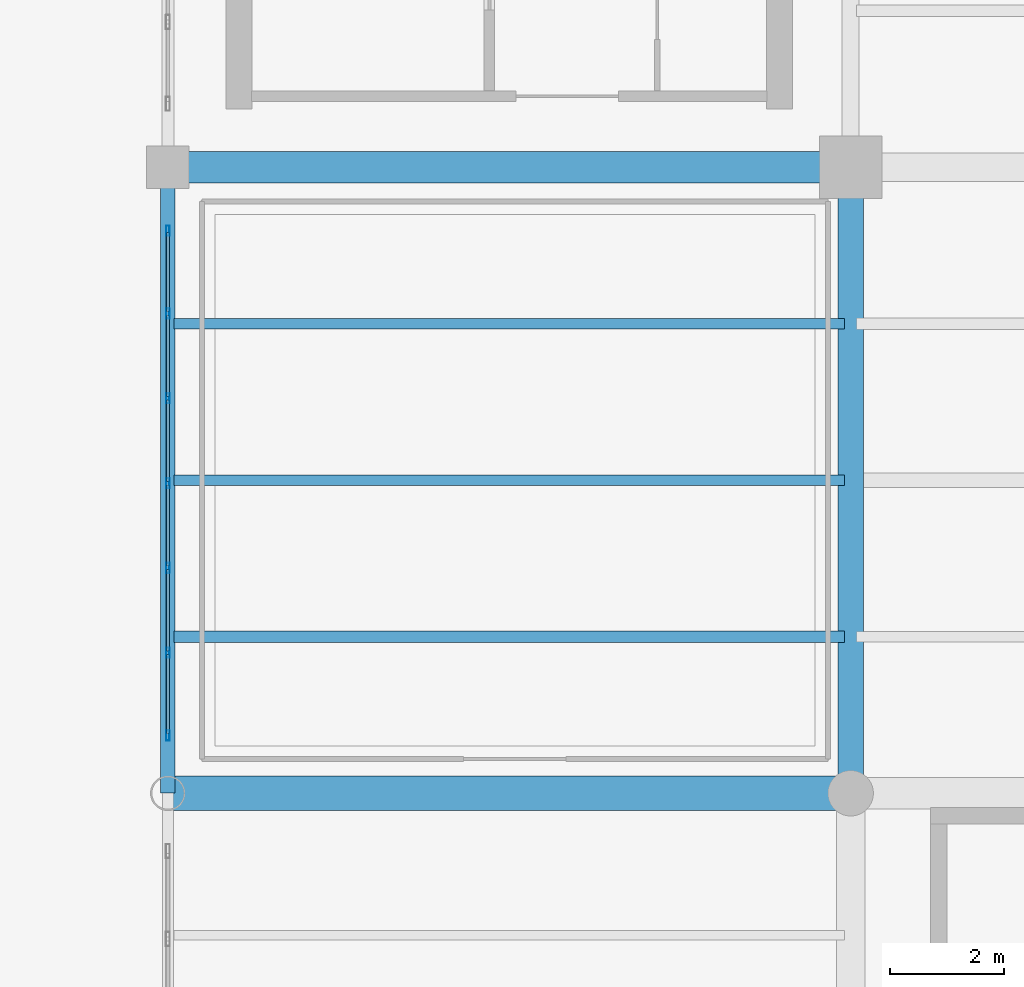
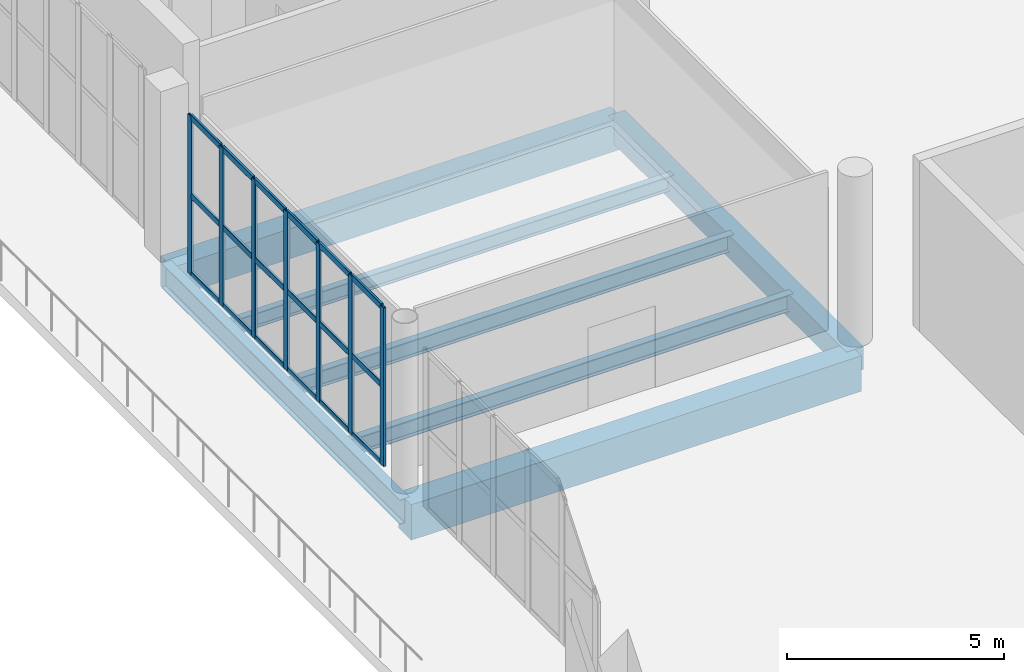
# One storey, part 24 of 136: 25 members, 7 beams, 1 element without a shape of its own.
"""IFC4 building model written with IfcOpenShell, lengths in metres."""

from ifc_helpers import new_model, si_unit, direction, frame, origin, origin_2d, place, context, subcontext, project, spatial, rectangle, hollow_rectangle, i_section, extrude, material, layer, layer_set, material_profile, profile_set, type_object, element, aggregate, save


model = new_model("IFC4")

# Units and contexts
model_context = context("Model", 3, precision=1e-05, world=origin(), true_north=direction((0.0, 1.0)))
body_context = subcontext(model_context, "Body", "Model", "MODEL_VIEW")
ifc_project = project(units=[si_unit("LENGTHUNIT", "METRE"), si_unit("AREAUNIT", "SQUARE_METRE"), si_unit("VOLUMEUNIT", "CUBIC_METRE"), si_unit("PLANEANGLEUNIT", "RADIAN"), si_unit("MASSUNIT", "GRAM", prefix="KILO")], contexts=[model_context])

# Site, building, storey
site_placement = place(None, origin())
site = spatial("IfcSite", under=ifc_project, at=site_placement, CompositionType="ELEMENT")
building_placement = place(site_placement, origin())
building = spatial("IfcBuilding", under=site, at=building_placement, Name="Brinegate Civic Arena", CompositionType="ELEMENT")
storey_placement = place(building_placement, frame((0.0, 0.0, 5.39990234375)))
storey = spatial("IfcBuildingStorey", under=building, at=storey_placement, Name="L01", CompositionType="ELEMENT", Elevation=5.39990234375)

# Curtain wall, members
ifc_material_1 = material(Name="Marine grade aluminium", Category="aluminium")
ifc_layer = layer(ifc_material_1, 0.199951171875, Name="Marine grade aluminium")
ifc_layer_set = layer_set([ifc_layer], Name="Marine grade aluminium")
curtain_wall_type = type_object("IfcCurtainWallType", Name="CW-BOWL-GLAZED-01", PredefinedType="USERDEFINED", material=ifc_layer_set)
curtain_wall_placement = place(storey_placement, origin())
curtain_wall = element("IfcCurtainWall", 1, at=curtain_wall_placement, inside=storey, type_object=curtain_wall_type, Name="Curtain Wall CWA-046", ObjectType="GLAZED CURTAIN WALL", PredefinedType="USERDEFINED")
ifc_material_profile_1 = material_profile(ifc_material_1, hollow_rectangle(XDim=0.06494140625, YDim=0.179931640625, WallThickness=0.0048828125, InnerFilletRadius=0.00390625, OuterFilletRadius=0.008056640625, at=origin_2d()), Name="MUL65X180")
ifc_profile_set_1 = profile_set([ifc_material_profile_1], Name="Marine grade aluminium")
member_type_1 = type_object("IfcMemberType", Name="CW-MULLION-65X180", PredefinedType="MULLION", material=ifc_profile_set_1)
member_1_placement = place(storey_placement, frame((48.0, 21.013427734375, 0.0), z_axis=(0.0, 0.0, 1.0), x_axis=(-1.0, 0.0, 0.0)))
member_1 = element("IfcMember", 2, at=member_1_placement, type_object=member_type_1, Name="CWA-046 mullion 1", PredefinedType="MULLION", context=body_context, shape_type="SweptSolid", body=[
    extrude(hollow_rectangle(XDim=0.06494140625, YDim=0.179931640625, WallThickness=0.0048828125, InnerFilletRadius=0.00390625, OuterFilletRadius=0.008056640625, at=origin_2d()), origin(), (0.0, 0.0, 1.0), 4.47021484375),
])
member_2_placement = place(storey_placement, frame((48.0, 22.470947265625, 0.0), z_axis=(0.0, 0.0, 1.0), x_axis=(-1.0, 0.0, 0.0)))
member_2 = element("IfcMember", 3, at=member_2_placement, type_object=member_type_1, Name="CWA-046 mullion 2", PredefinedType="MULLION", context=body_context, shape_type="SweptSolid", body=[
    extrude(hollow_rectangle(XDim=0.06494140625, YDim=0.179931640625, WallThickness=0.0048828125, InnerFilletRadius=0.00390625, OuterFilletRadius=0.008056640625, at=origin_2d()), origin(), (0.0, 0.0, 1.0), 4.47021484375),
])
member_3_placement = place(storey_placement, frame((48.0, 23.960693359375, 0.0), z_axis=(0.0, 0.0, 1.0), x_axis=(-1.0, 0.0, 0.0)))
member_3 = element("IfcMember", 4, at=member_3_placement, type_object=member_type_1, Name="CWA-046 mullion 3", PredefinedType="MULLION", context=body_context, shape_type="SweptSolid", body=[
    extrude(hollow_rectangle(XDim=0.06494140625, YDim=0.179931640625, WallThickness=0.0048828125, InnerFilletRadius=0.00390625, OuterFilletRadius=0.008056640625, at=origin_2d()), origin(), (0.0, 0.0, 1.0), 4.47021484375),
])
member_4_placement = place(storey_placement, frame((48.0, 25.450439453125, 0.0), z_axis=(0.0, 0.0, 1.0), x_axis=(-1.0, 0.0, 0.0)))
member_4 = element("IfcMember", 5, at=member_4_placement, type_object=member_type_1, Name="CWA-046 mullion 4", PredefinedType="MULLION", context=body_context, shape_type="SweptSolid", body=[
    extrude(hollow_rectangle(XDim=0.06494140625, YDim=0.179931640625, WallThickness=0.0048828125, InnerFilletRadius=0.00390625, OuterFilletRadius=0.008056640625, at=origin_2d()), origin(), (0.0, 0.0, 1.0), 4.47021484375),
])
member_5_placement = place(storey_placement, frame((48.0, 26.9404296875, 0.0), z_axis=(0.0, 0.0, 1.0), x_axis=(-1.0, 0.0, 0.0)))
member_5 = element("IfcMember", 6, at=member_5_placement, type_object=member_type_1, Name="CWA-046 mullion 5", PredefinedType="MULLION", context=body_context, shape_type="SweptSolid", body=[
    extrude(hollow_rectangle(XDim=0.06494140625, YDim=0.179931640625, WallThickness=0.0048828125, InnerFilletRadius=0.00390625, OuterFilletRadius=0.008056640625, at=origin_2d()), origin(), (0.0, 0.0, 1.0), 4.47021484375),
])
member_6_placement = place(storey_placement, frame((48.0, 28.43017578125, 0.0), z_axis=(0.0, 0.0, 1.0), x_axis=(-1.0, 0.0, 0.0)))
member_6 = element("IfcMember", 7, at=member_6_placement, type_object=member_type_1, Name="CWA-046 mullion 6", PredefinedType="MULLION", context=body_context, shape_type="SweptSolid", body=[
    extrude(hollow_rectangle(XDim=0.06494140625, YDim=0.179931640625, WallThickness=0.0048828125, InnerFilletRadius=0.00390625, OuterFilletRadius=0.008056640625, at=origin_2d()), origin(), (0.0, 0.0, 1.0), 4.47021484375),
])
member_7_placement = place(storey_placement, frame((48.0, 29.887451171875, 0.0), z_axis=(0.0, 0.0, 1.0), x_axis=(-1.0, 0.0, 0.0)))
member_7 = element("IfcMember", 8, at=member_7_placement, type_object=member_type_1, Name="CWA-046 mullion 7", PredefinedType="MULLION", context=body_context, shape_type="SweptSolid", body=[
    extrude(hollow_rectangle(XDim=0.06494140625, YDim=0.179931640625, WallThickness=0.0048828125, InnerFilletRadius=0.00390625, OuterFilletRadius=0.008056640625, at=origin_2d()), origin(), (0.0, 0.0, 1.0), 4.47021484375),
])
ifc_material_profile_2 = material_profile(ifc_material_1, hollow_rectangle(XDim=0.06494140625, YDim=0.1650390625, WallThickness=0.0048828125, InnerFilletRadius=0.00390625, OuterFilletRadius=0.008056640625, at=origin_2d()), Name="TRN65X165")
ifc_profile_set_2 = profile_set([ifc_material_profile_2], Name="Marine grade aluminium")
member_type_2 = type_object("IfcMemberType", Name="CW-TRANSOM-65X165", PredefinedType="USERDEFINED", material=ifc_profile_set_2)
member_8_placement = place(storey_placement, frame((48.0, 21.0458984375, 0.03271484375), z_axis=(0.0, 1.0, 0.0), x_axis=(-1.0, 0.0, 0.0)))
member_8 = element("IfcMember", 9, at=member_8_placement, type_object=member_type_2, Name="CWA-046 transom 1.1", ObjectType="TRANSOM", PredefinedType="USERDEFINED", context=body_context, shape_type="SweptSolid", body=[
    extrude(hollow_rectangle(XDim=0.06494140625, YDim=0.1650390625, WallThickness=0.0048828125, InnerFilletRadius=0.00390625, OuterFilletRadius=0.008056640625, at=origin_2d()), origin(), (0.0, 0.0, 1.0), 1.392333984375),
])
member_9_placement = place(storey_placement, frame((48.0, 21.0458984375, 2.235107421875), z_axis=(0.0, 1.0, 0.0), x_axis=(-1.0, 0.0, 0.0)))
member_9 = element("IfcMember", 10, at=member_9_placement, type_object=member_type_2, Name="CWA-046 transom 1.2", ObjectType="TRANSOM", PredefinedType="USERDEFINED", context=body_context, shape_type="SweptSolid", body=[
    extrude(hollow_rectangle(XDim=0.06494140625, YDim=0.1650390625, WallThickness=0.0048828125, InnerFilletRadius=0.00390625, OuterFilletRadius=0.008056640625, at=origin_2d()), origin(), (0.0, 0.0, 1.0), 1.392333984375),
])
member_10_placement = place(storey_placement, frame((48.0, 21.0458984375, 4.4375), z_axis=(0.0, 1.0, 0.0), x_axis=(-1.0, 0.0, 0.0)))
member_10 = element("IfcMember", 11, at=member_10_placement, type_object=member_type_2, Name="CWA-046 transom 1.3", ObjectType="TRANSOM", PredefinedType="USERDEFINED", context=body_context, shape_type="SweptSolid", body=[
    extrude(hollow_rectangle(XDim=0.06494140625, YDim=0.1650390625, WallThickness=0.0048828125, InnerFilletRadius=0.00390625, OuterFilletRadius=0.008056640625, at=origin_2d()), origin(), (0.0, 0.0, 1.0), 1.392333984375),
])
member_11_placement = place(storey_placement, frame((48.0, 22.50341796875, 0.03271484375), z_axis=(0.0, 1.0, 0.0), x_axis=(-1.0, 0.0, 0.0)))
member_11 = element("IfcMember", 12, at=member_11_placement, type_object=member_type_2, Name="CWA-046 transom 2.1", ObjectType="TRANSOM", PredefinedType="USERDEFINED", context=body_context, shape_type="SweptSolid", body=[
    extrude(hollow_rectangle(XDim=0.06494140625, YDim=0.1650390625, WallThickness=0.0048828125, InnerFilletRadius=0.00390625, OuterFilletRadius=0.008056640625, at=origin_2d()), origin(), (0.0, 0.0, 1.0), 1.4248046875),
])
member_12_placement = place(storey_placement, frame((48.0, 22.50341796875, 2.235107421875), z_axis=(0.0, 1.0, 0.0), x_axis=(-1.0, 0.0, 0.0)))
member_12 = element("IfcMember", 13, at=member_12_placement, type_object=member_type_2, Name="CWA-046 transom 2.2", ObjectType="TRANSOM", PredefinedType="USERDEFINED", context=body_context, shape_type="SweptSolid", body=[
    extrude(hollow_rectangle(XDim=0.06494140625, YDim=0.1650390625, WallThickness=0.0048828125, InnerFilletRadius=0.00390625, OuterFilletRadius=0.008056640625, at=origin_2d()), origin(), (0.0, 0.0, 1.0), 1.4248046875),
])
member_13_placement = place(storey_placement, frame((48.0, 22.50341796875, 4.4375), z_axis=(0.0, 1.0, 0.0), x_axis=(-1.0, 0.0, 0.0)))
member_13 = element("IfcMember", 14, at=member_13_placement, type_object=member_type_2, Name="CWA-046 transom 2.3", ObjectType="TRANSOM", PredefinedType="USERDEFINED", context=body_context, shape_type="SweptSolid", body=[
    extrude(hollow_rectangle(XDim=0.06494140625, YDim=0.1650390625, WallThickness=0.0048828125, InnerFilletRadius=0.00390625, OuterFilletRadius=0.008056640625, at=origin_2d()), origin(), (0.0, 0.0, 1.0), 1.4248046875),
])
member_14_placement = place(storey_placement, frame((48.0, 23.9931640625, 0.03271484375), z_axis=(0.0, 1.0, 0.0), x_axis=(-1.0, 0.0, 0.0)))
member_14 = element("IfcMember", 15, at=member_14_placement, type_object=member_type_2, Name="CWA-046 transom 3.1", ObjectType="TRANSOM", PredefinedType="USERDEFINED", context=body_context, shape_type="SweptSolid", body=[
    extrude(hollow_rectangle(XDim=0.06494140625, YDim=0.1650390625, WallThickness=0.0048828125, InnerFilletRadius=0.00390625, OuterFilletRadius=0.008056640625, at=origin_2d()), origin(), (0.0, 0.0, 1.0), 1.4248046875),
])
member_15_placement = place(storey_placement, frame((48.0, 23.9931640625, 2.235107421875), z_axis=(0.0, 1.0, 0.0), x_axis=(-1.0, 0.0, 0.0)))
member_15 = element("IfcMember", 16, at=member_15_placement, type_object=member_type_2, Name="CWA-046 transom 3.2", ObjectType="TRANSOM", PredefinedType="USERDEFINED", context=body_context, shape_type="SweptSolid", body=[
    extrude(hollow_rectangle(XDim=0.06494140625, YDim=0.1650390625, WallThickness=0.0048828125, InnerFilletRadius=0.00390625, OuterFilletRadius=0.008056640625, at=origin_2d()), origin(), (0.0, 0.0, 1.0), 1.4248046875),
])
member_16_placement = place(storey_placement, frame((48.0, 23.9931640625, 4.4375), z_axis=(0.0, 1.0, 0.0), x_axis=(-1.0, 0.0, 0.0)))
member_16 = element("IfcMember", 17, at=member_16_placement, type_object=member_type_2, Name="CWA-046 transom 3.3", ObjectType="TRANSOM", PredefinedType="USERDEFINED", context=body_context, shape_type="SweptSolid", body=[
    extrude(hollow_rectangle(XDim=0.06494140625, YDim=0.1650390625, WallThickness=0.0048828125, InnerFilletRadius=0.00390625, OuterFilletRadius=0.008056640625, at=origin_2d()), origin(), (0.0, 0.0, 1.0), 1.4248046875),
])
member_17_placement = place(storey_placement, frame((48.0, 25.48291015625, 0.03271484375), z_axis=(0.0, 1.0, 0.0), x_axis=(-1.0, 0.0, 0.0)))
member_17 = element("IfcMember", 18, at=member_17_placement, type_object=member_type_2, Name="CWA-046 transom 4.1", ObjectType="TRANSOM", PredefinedType="USERDEFINED", context=body_context, shape_type="SweptSolid", body=[
    extrude(hollow_rectangle(XDim=0.06494140625, YDim=0.1650390625, WallThickness=0.0048828125, InnerFilletRadius=0.00390625, OuterFilletRadius=0.008056640625, at=origin_2d()), origin(), (0.0, 0.0, 1.0), 1.4248046875),
])
member_18_placement = place(storey_placement, frame((48.0, 25.48291015625, 2.235107421875), z_axis=(0.0, 1.0, 0.0), x_axis=(-1.0, 0.0, 0.0)))
member_18 = element("IfcMember", 19, at=member_18_placement, type_object=member_type_2, Name="CWA-046 transom 4.2", ObjectType="TRANSOM", PredefinedType="USERDEFINED", context=body_context, shape_type="SweptSolid", body=[
    extrude(hollow_rectangle(XDim=0.06494140625, YDim=0.1650390625, WallThickness=0.0048828125, InnerFilletRadius=0.00390625, OuterFilletRadius=0.008056640625, at=origin_2d()), origin(), (0.0, 0.0, 1.0), 1.4248046875),
])
member_19_placement = place(storey_placement, frame((48.0, 25.48291015625, 4.4375), z_axis=(0.0, 1.0, 0.0), x_axis=(-1.0, 0.0, 0.0)))
member_19 = element("IfcMember", 20, at=member_19_placement, type_object=member_type_2, Name="CWA-046 transom 4.3", ObjectType="TRANSOM", PredefinedType="USERDEFINED", context=body_context, shape_type="SweptSolid", body=[
    extrude(hollow_rectangle(XDim=0.06494140625, YDim=0.1650390625, WallThickness=0.0048828125, InnerFilletRadius=0.00390625, OuterFilletRadius=0.008056640625, at=origin_2d()), origin(), (0.0, 0.0, 1.0), 1.4248046875),
])
member_20_placement = place(storey_placement, frame((48.0, 26.972900390625, 0.03271484375), z_axis=(0.0, 1.0, 0.0), x_axis=(-1.0, 0.0, 0.0)))
member_20 = element("IfcMember", 21, at=member_20_placement, type_object=member_type_2, Name="CWA-046 transom 5.1", ObjectType="TRANSOM", PredefinedType="USERDEFINED", context=body_context, shape_type="SweptSolid", body=[
    extrude(hollow_rectangle(XDim=0.06494140625, YDim=0.1650390625, WallThickness=0.0048828125, InnerFilletRadius=0.00390625, OuterFilletRadius=0.008056640625, at=origin_2d()), origin(), (0.0, 0.0, 1.0), 1.4248046875),
])
member_21_placement = place(storey_placement, frame((48.0, 26.972900390625, 2.235107421875), z_axis=(0.0, 1.0, 0.0), x_axis=(-1.0, 0.0, 0.0)))
member_21 = element("IfcMember", 22, at=member_21_placement, type_object=member_type_2, Name="CWA-046 transom 5.2", ObjectType="TRANSOM", PredefinedType="USERDEFINED", context=body_context, shape_type="SweptSolid", body=[
    extrude(hollow_rectangle(XDim=0.06494140625, YDim=0.1650390625, WallThickness=0.0048828125, InnerFilletRadius=0.00390625, OuterFilletRadius=0.008056640625, at=origin_2d()), origin(), (0.0, 0.0, 1.0), 1.4248046875),
])
member_22_placement = place(storey_placement, frame((48.0, 26.972900390625, 4.4375), z_axis=(0.0, 1.0, 0.0), x_axis=(-1.0, 0.0, 0.0)))
member_22 = element("IfcMember", 23, at=member_22_placement, type_object=member_type_2, Name="CWA-046 transom 5.3", ObjectType="TRANSOM", PredefinedType="USERDEFINED", context=body_context, shape_type="SweptSolid", body=[
    extrude(hollow_rectangle(XDim=0.06494140625, YDim=0.1650390625, WallThickness=0.0048828125, InnerFilletRadius=0.00390625, OuterFilletRadius=0.008056640625, at=origin_2d()), origin(), (0.0, 0.0, 1.0), 1.4248046875),
])
member_23_placement = place(storey_placement, frame((48.0, 28.462646484375, 0.03271484375), z_axis=(0.0, 1.0, 0.0), x_axis=(-1.0, 0.0, 0.0)))
member_23 = element("IfcMember", 24, at=member_23_placement, type_object=member_type_2, Name="CWA-046 transom 6.1", ObjectType="TRANSOM", PredefinedType="USERDEFINED", context=body_context, shape_type="SweptSolid", body=[
    extrude(hollow_rectangle(XDim=0.06494140625, YDim=0.1650390625, WallThickness=0.0048828125, InnerFilletRadius=0.00390625, OuterFilletRadius=0.008056640625, at=origin_2d()), origin(), (0.0, 0.0, 1.0), 1.392333984375),
])
member_24_placement = place(storey_placement, frame((48.0, 28.462646484375, 2.235107421875), z_axis=(0.0, 1.0, 0.0), x_axis=(-1.0, 0.0, 0.0)))
member_24 = element("IfcMember", 25, at=member_24_placement, type_object=member_type_2, Name="CWA-046 transom 6.2", ObjectType="TRANSOM", PredefinedType="USERDEFINED", context=body_context, shape_type="SweptSolid", body=[
    extrude(hollow_rectangle(XDim=0.06494140625, YDim=0.1650390625, WallThickness=0.0048828125, InnerFilletRadius=0.00390625, OuterFilletRadius=0.008056640625, at=origin_2d()), origin(), (0.0, 0.0, 1.0), 1.392333984375),
])
member_25_placement = place(storey_placement, frame((48.0, 28.462646484375, 4.4375), z_axis=(0.0, 1.0, 0.0), x_axis=(-1.0, 0.0, 0.0)))
member_25 = element("IfcMember", 26, at=member_25_placement, type_object=member_type_2, Name="CWA-046 transom 6.3", ObjectType="TRANSOM", PredefinedType="USERDEFINED", context=body_context, shape_type="SweptSolid", body=[
    extrude(hollow_rectangle(XDim=0.06494140625, YDim=0.1650390625, WallThickness=0.0048828125, InnerFilletRadius=0.00390625, OuterFilletRadius=0.008056640625, at=origin_2d()), origin(), (0.0, 0.0, 1.0), 1.392333984375),
])
aggregate(curtain_wall, [member_1, member_2, member_3, member_4, member_5, member_6, member_7, member_8, member_9, member_10, member_11, member_12, member_13, member_14, member_15, member_16, member_17, member_18, member_19, member_20, member_21, member_22, member_23, member_24, member_25])

# Beams
ifc_material_2 = material(Name="Steel S355", Category="steel")
ifc_material_profile_3 = material_profile(ifc_material_2, i_section(OverallWidth=0.180908203125, OverallDepth=0.4169921875, WebThickness=0.010986328125, FlangeThickness=0.01806640625, FilletRadius=0.013916015625, at=origin_2d()), Name="W410X85")
ifc_profile_set_3 = profile_set([ifc_material_profile_3], Name="Steel S355")
beam_type_1 = type_object("IfcBeamType", Name="JOIST-W410X85", PredefinedType="JOIST", material=ifc_profile_set_3)
beam_1_placement = place(storey_placement, frame((48.10595703125, 28.25, -0.5478515625), z_axis=(1.0, 0.0, 0.0), x_axis=(0.0, 1.0, 0.0)))
element("IfcBeam", 27, at=beam_1_placement, inside=storey, type_object=beam_type_1, Name="Secondary Joist BM-L01-JX-04-02-3", PredefinedType="JOIST", context=body_context, shape_type="SweptSolid", body=[
    extrude(i_section(OverallWidth=0.180908203125, OverallDepth=0.4169921875, WebThickness=0.010986328125, FlangeThickness=0.01806640625, FilletRadius=0.013916015625, at=origin_2d()), origin(), (0.0, 0.0, 1.0), 11.7880859375),
])
ifc_material_profile_4 = material_profile(ifc_material_2, i_section(OverallWidth=0.195068359375, OverallDepth=0.472900390625, WebThickness=0.011962890625, FlangeThickness=0.02197265625, FilletRadius=0.014892578125, at=origin_2d()), Name="W460X113")
ifc_profile_set_4 = profile_set([ifc_material_profile_4], Name="Steel S355")
beam_type_2 = type_object("IfcBeamType", Name="JOIST-W460X113", PredefinedType="JOIST", material=ifc_profile_set_4)
beam_2_placement = place(storey_placement, frame((48.10595703125, 22.75, -0.575927734375), z_axis=(1.0, 0.0, 0.0), x_axis=(0.0, 1.0, 0.0)))
element("IfcBeam", 28, at=beam_2_placement, inside=storey, type_object=beam_type_2, Name="Secondary Joist BM-L01-JX-04-02-1", PredefinedType="JOIST", context=body_context, shape_type="SweptSolid", body=[
    extrude(i_section(OverallWidth=0.195068359375, OverallDepth=0.472900390625, WebThickness=0.011962890625, FlangeThickness=0.02197265625, FilletRadius=0.014892578125, at=origin_2d()), origin(), (0.0, 0.0, 1.0), 11.7880859375),
])
ifc_material_profile_5 = material_profile(ifc_material_2, i_section(OverallWidth=0.19091796875, OverallDepth=0.4599609375, WebThickness=0.010009765625, FlangeThickness=0.01611328125, FilletRadius=0.014892578125, at=origin_2d()), Name="W460X82")
ifc_profile_set_5 = profile_set([ifc_material_profile_5], Name="Steel S355")
beam_type_3 = type_object("IfcBeamType", Name="JOIST-W460X82", PredefinedType="JOIST", material=ifc_profile_set_5)
beam_3_placement = place(storey_placement, frame((48.10595703125, 25.5, -0.56982421875), z_axis=(1.0, 0.0, 0.0), x_axis=(0.0, 1.0, 0.0)))
element("IfcBeam", 29, at=beam_3_placement, inside=storey, type_object=beam_type_3, Name="Secondary Joist BM-L01-JX-04-02-2", PredefinedType="JOIST", context=body_context, shape_type="SweptSolid", body=[
    extrude(i_section(OverallWidth=0.19091796875, OverallDepth=0.4599609375, WebThickness=0.010009765625, FlangeThickness=0.01611328125, FilletRadius=0.014892578125, at=origin_2d()), origin(), (0.0, 0.0, 1.0), 11.7880859375),
])
ifc_material_3 = material(Name="Concrete C50/60", Category="concrete")
ifc_material_profile_6 = material_profile(ifc_material_3, rectangle(XDim=0.449951171875, YDim=0.64990234375, at=origin_2d()), Name="RCB450X650")
ifc_profile_set_6 = profile_set([ifc_material_profile_6], Name="Concrete C50/60")
beam_type_4 = type_object("IfcBeamType", Name="RCG-450X650", PredefinedType="BEAM", material=ifc_profile_set_6)
beam_4_placement = place(storey_placement, frame((60.0, 20.0, -0.664794921875), z_axis=(0.0, 1.0, 0.0), x_axis=(-1.0, 0.0, 0.0)))
element("IfcBeam", 30, at=beam_4_placement, inside=storey, type_object=beam_type_4, Name="Floor Girder BM-L01-GY-05-02", PredefinedType="BEAM", context=body_context, shape_type="SweptSolid", body=[
    extrude(rectangle(XDim=0.449951171875, YDim=0.64990234375, at=origin_2d()), origin(), (0.0, 0.0, 1.0), 11.0),
])
ifc_material_profile_7 = material_profile(ifc_material_3, rectangle(XDim=0.550048828125, YDim=0.85009765625, at=origin_2d()), Name="RCB550X850")
ifc_profile_set_7 = profile_set([ifc_material_profile_7], Name="Concrete C50/60")
beam_type_5 = type_object("IfcBeamType", Name="RCG-550X850", PredefinedType="BEAM", material=ifc_profile_set_7)
beam_5_placement = place(storey_placement, frame((48.0, 31.0, -0.764892578125), z_axis=(1.0, 0.0, 0.0), x_axis=(0.0, 1.0, 0.0)))
element("IfcBeam", 31, at=beam_5_placement, inside=storey, type_object=beam_type_5, Name="Floor Girder BM-L01-GX-04-03", PredefinedType="BEAM", context=body_context, shape_type="SweptSolid", body=[
    extrude(rectangle(XDim=0.550048828125, YDim=0.85009765625, at=origin_2d()), origin(), (0.0, 0.0, 1.0), 12.0),
])
ifc_material_profile_8 = material_profile(ifc_material_3, rectangle(XDim=0.60009765625, YDim=1.0, at=origin_2d()), Name="RCB600X1000")
ifc_profile_set_8 = profile_set([ifc_material_profile_8], Name="Concrete C50/60")
beam_type_6 = type_object("IfcBeamType", Name="RCG-600X1000", PredefinedType="BEAM", material=ifc_profile_set_8)
beam_6_placement = place(storey_placement, frame((48.0, 20.0, -0.83984375), z_axis=(1.0, 0.0, 0.0), x_axis=(0.0, 1.0, 0.0)))
element("IfcBeam", 32, at=beam_6_placement, inside=storey, type_object=beam_type_6, Name="Floor Girder BM-L01-GX-04-02", PredefinedType="BEAM", context=body_context, shape_type="SweptSolid", body=[
    extrude(rectangle(XDim=0.60009765625, YDim=1.0, at=origin_2d()), origin(), (0.0, 0.0, 1.0), 12.0),
])
ifc_material_profile_9 = material_profile(ifc_material_2, i_section(OverallWidth=0.256103515625, OverallDepth=0.693115234375, WebThickness=0.014892578125, FlangeThickness=0.02392578125, FilletRadius=0.01806640625, at=origin_2d()), Name="W690X170")
ifc_profile_set_9 = profile_set([ifc_material_profile_9], Name="Steel S355")
beam_type_7 = type_object("IfcBeamType", Name="SPANDREL-W690X170", PredefinedType="SPANDREL", material=ifc_profile_set_9)
beam_7_placement = place(storey_placement, frame((48.0, 20.0, -0.685791015625), z_axis=(0.0, 1.0, 0.0), x_axis=(-1.0, 0.0, 0.0)))
element("IfcBeam", 33, at=beam_7_placement, inside=storey, type_object=beam_type_7, Name="Floor Girder BM-L01-GY-04-02", PredefinedType="SPANDREL", context=body_context, shape_type="SweptSolid", body=[
    extrude(i_section(OverallWidth=0.256103515625, OverallDepth=0.693115234375, WebThickness=0.014892578125, FlangeThickness=0.02392578125, FilletRadius=0.01806640625, at=origin_2d()), origin(), (0.0, 0.0, 1.0), 11.0),
])

save(model, "model.ifc")
